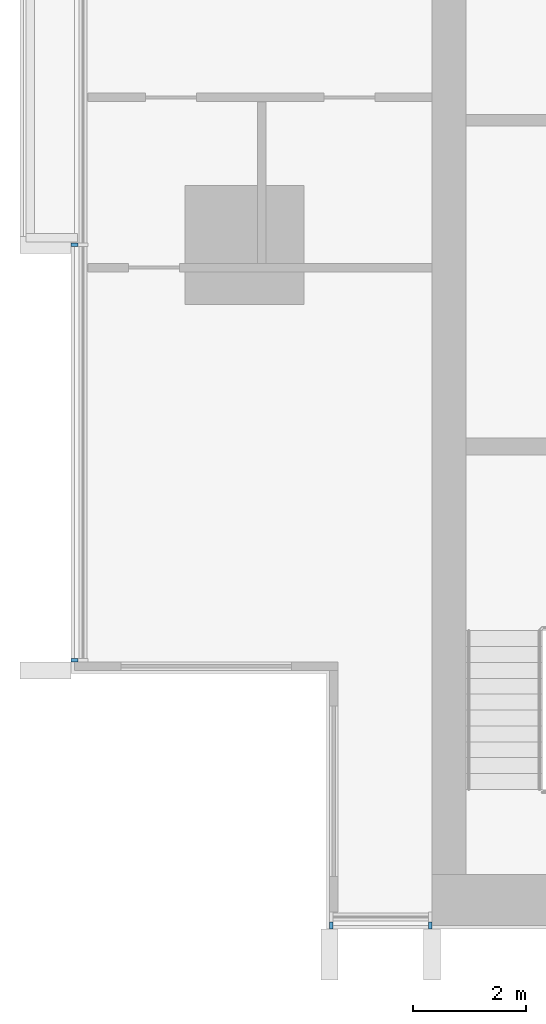
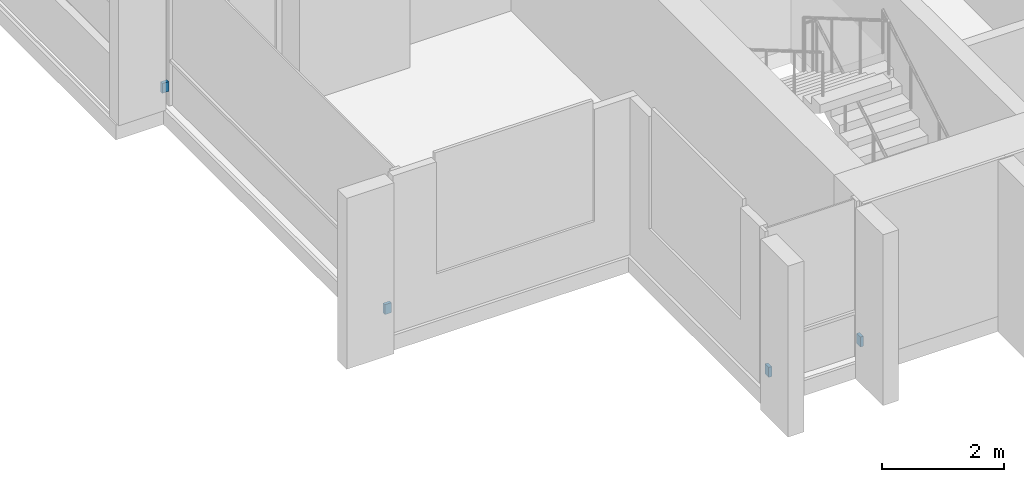
# One storey, part 12 of 16: 4 discrete accessories.
"""IFC4 building model written with IfcOpenShell, lengths in metres."""

from ifc_helpers import new_model, si_unit, direction, frame, origin, origin_2d, place, context, subcontext, project, spatial, rectangle, extrude, material, type_object, element, save


model = new_model("IFC4")

# Units and contexts
model_context = context("Model", 3, precision=1e-05, world=origin(), true_north=direction((0.0, 1.0)))
body_context = subcontext(model_context, "Body", "Model", "MODEL_VIEW")
ifc_project = project(units=[si_unit("LENGTHUNIT", "METRE"), si_unit("AREAUNIT", "SQUARE_METRE"), si_unit("VOLUMEUNIT", "CUBIC_METRE"), si_unit("PLANEANGLEUNIT", "RADIAN"), si_unit("MASSUNIT", "GRAM", prefix="KILO")], contexts=[model_context])

# Site, building, storey
site_placement = place(None, origin())
site = spatial("IfcSite", under=ifc_project, at=site_placement, CompositionType="ELEMENT")
building_placement = place(site_placement, origin())
building = spatial("IfcBuilding", under=site, at=building_placement, Name="Finial Court Residences", CompositionType="ELEMENT")
storey_placement = place(building_placement, frame((0.0, 0.0, 244.699951171875)))
storey = spatial("IfcBuildingStorey", under=building, at=storey_placement, Name="L62", CompositionType="ELEMENT", Elevation=244.699951171875)

# Discrete accessories
ifc_material = material(Name="Stainless steel 316", Category="steel")
discrete_accessory_type = type_object("IfcDiscreteAccessoryType", Name="Fin bracket, stainless steel 60 x 122 x 200", PredefinedType="BRACKET", material=ifc_material)
for number, where, z_axis, x_axis, name in (
    (1, (-14.969970703125, -25.498779296875, 0.30029296875), (0.0, 0.0, 1.0), (1.0, 0.0, 0.0), "E-L62-FIN-S13-BRK"),
    (2, (-13.22998046875, -25.498779296875, 0.30029296875), (0.0, 0.0, 1.0), (1.0, 0.0, 0.0), "E-L62-FIN-S14-BRK"),
):
    element("IfcDiscreteAccessory", number, at=place(storey_placement, frame(where, z_axis=z_axis, x_axis=x_axis)), inside=storey, type_object=discrete_accessory_type, Name=name, PredefinedType="BRACKET", context=body_context, shape_type="SweptSolid", body=[
        extrude(rectangle(XDim=0.06005859375, YDim=0.12255859375, at=origin_2d()), origin(), (0.0, 0.0, 1.0), 0.199951171875),
    ])
for number, where, z_axis, x_axis, name in (
    (3, (-19.498779296875, -20.820068359375, 0.30029296875), (0.0, 0.0, 1.0), (1.0, 0.0, 0.0), "E-L62-FIN-W21-BRK"),
    (4, (-19.498779296875, -13.5, 0.30029296875), (0.0, 0.0, 1.0), (1.0, 0.0, 0.0), "E-L62-FIN-W22-BRK"),
):
    element("IfcDiscreteAccessory", number, at=place(storey_placement, frame(where, z_axis=z_axis, x_axis=x_axis)), inside=storey, type_object=discrete_accessory_type, Name=name, PredefinedType="BRACKET", context=body_context, shape_type="SweptSolid", body=[
        extrude(rectangle(XDim=0.12255859375, YDim=0.06005859375, at=origin_2d()), origin(), (0.0, 0.0, 1.0), 0.199951171875),
    ])

save(model, "model.ifc")
